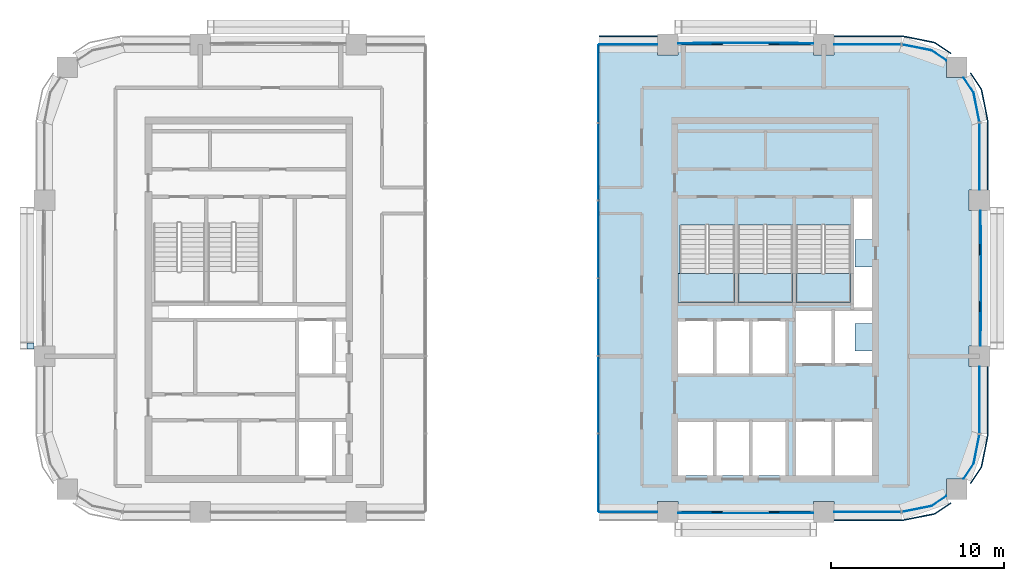
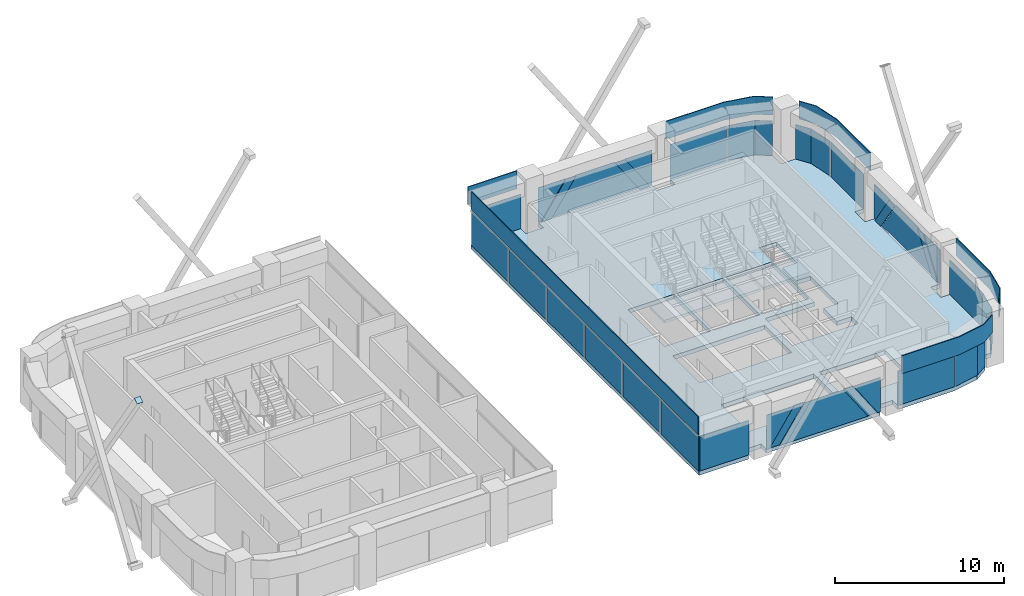
# One storey, part 6 of 14: 38 plates, 4 slabs, 13 elements without a shape of their own.
"""IFC4 building model written with IfcOpenShell, lengths in metres."""

from ifc_helpers import new_model, si_unit, direction, frame, origin, origin_2d, place, context, subcontext, project, spatial, polyline, rectangle, outline, extrude, material, layer, layer_set, type_object, element, aggregate, save


model = new_model("IFC4")

# Units and contexts
model_context = context("Model", 3, precision=1e-05, world=origin(), true_north=direction((0.0, 1.0)))
body_context = subcontext(model_context, "Body", "Model", "MODEL_VIEW")
ifc_project = project(units=[si_unit("LENGTHUNIT", "METRE"), si_unit("AREAUNIT", "SQUARE_METRE"), si_unit("VOLUMEUNIT", "CUBIC_METRE"), si_unit("PLANEANGLEUNIT", "RADIAN"), si_unit("MASSUNIT", "GRAM", prefix="KILO")], contexts=[model_context])

# Site, building, storey
site_placement = place(None, origin())
site = spatial("IfcSite", under=ifc_project, at=site_placement, CompositionType="ELEMENT")
building_placement = place(site_placement, origin())
building = spatial("IfcBuilding", under=site, at=building_placement, Name="Tessera Arch", CompositionType="ELEMENT")
storey_placement = place(building_placement, frame((0.0, 0.0, 215.0)))
storey = spatial("IfcBuildingStorey", under=building, at=storey_placement, Name="L51", CompositionType="ELEMENT", Elevation=215.0)

# Curtain wall, plate
ifc_material_1 = material(Name="CW1 curtain wall")
curtain_wall_type_1 = type_object("IfcCurtainWallType", Name="CW1 curtain wall", PredefinedType="NOTDEFINED", material=ifc_material_1)
curtain_wall_1_placement = place(storey_placement, origin())
curtain_wall_1 = element("IfcCurtainWall", 1, at=curtain_wall_1_placement, inside=storey, type_object=curtain_wall_type_1, Name="CW1 curtain wall S27.32/0 L51", PredefinedType="NOTDEFINED")
ifc_material_2 = material(Name="Clear low-e glass", Category="glass")
ifc_material_3 = material(Name="Clear low-e glass", Category="glass")
ifc_layer_1 = layer(ifc_material_3, 0.028076171875)
ifc_layer_set_1 = layer_set([ifc_layer_1], Name="CW1 glass panel")
plate_type_1 = type_object("IfcPlateType", Name="CW1 glass panel", PredefinedType="CURTAIN_PANEL", material=ifc_layer_set_1)
plate_1_placement = place(storey_placement, frame((33.72509765625, 27.0, 0.0), z_axis=(0.0, 0.0, 1.0), x_axis=(1.0, 0.0, 0.0)))
plate_1 = element("IfcPlate", 2, at=plate_1_placement, type_object=plate_type_1, material=ifc_material_2, Name="CW1 glass panel S27.32/0 1.1.1", PredefinedType="CURTAIN_PANEL", context=body_context, shape_type="SweptSolid", body=[
    extrude(rectangle(XDim=3.35009765625, YDim=0.028076171875, at=origin_2d()), origin(), (0.0, 0.0, 1.0), 2.5),
])
aggregate(curtain_wall_1, [plate_1])

# Curtain wall, plates
curtain_wall_2_placement = place(storey_placement, origin())
curtain_wall_2 = element("IfcCurtainWall", 3, at=curtain_wall_2_placement, inside=storey, type_object=curtain_wall_type_1, Name="CW1 curtain wall N54.32/2 L51", PredefinedType="NOTDEFINED")
plate_2_placement = place(storey_placement, frame((33.72509765625, 54.0, 0.0), z_axis=(0.0, 0.0, 1.0), x_axis=(-1.0, 0.0, 0.0)))
plate_2 = element("IfcPlate", 4, at=plate_2_placement, type_object=plate_type_1, material=ifc_material_2, Name="CW1 glass panel N54.32/2 1.1.1", PredefinedType="CURTAIN_PANEL", context=body_context, shape_type="SweptSolid", body=[
    extrude(rectangle(XDim=3.35009765625, YDim=0.028076171875, at=origin_2d()), origin(), (0.0, 0.0, 1.0), 2.5),
])
ifc_material_4 = material(Name="Pale anodised aluminium panel", Category="aluminium")
ifc_layer_2 = layer(ifc_material_4, 0.06005859375)
ifc_layer_set_2 = layer_set([ifc_layer_2], Name="CW1 spandrel panel")
plate_type_2 = type_object("IfcPlateType", Name="CW1 spandrel panel", PredefinedType="CURTAIN_PANEL", material=ifc_layer_set_2)
plate_3_placement = place(storey_placement, frame((33.72509765625, 54.47998046875, 2.60009765625), z_axis=(0.0, 0.0, 1.0), x_axis=(-1.0, 0.0, 0.0)))
plate_3 = element("IfcPlate", 5, at=plate_3_placement, type_object=plate_type_2, Name="CW1 spandrel panel N54.32/2", PredefinedType="CURTAIN_PANEL", context=body_context, shape_type="SweptSolid", body=[
    extrude(rectangle(XDim=3.35009765625, YDim=0.06005859375, at=origin_2d()), origin(), (0.0, 0.0, 1.0), 1.300048828125),
])
aggregate(curtain_wall_2, [plate_2, plate_3])

ifc_material_5 = material(Name="CW2 curtain wall")
curtain_wall_type_2 = type_object("IfcCurtainWallType", Name="CW2 curtain wall", PredefinedType="NOTDEFINED", material=ifc_material_5)
curtain_wall_3_placement = place(storey_placement, origin())
curtain_wall_3 = element("IfcCurtainWall", 6, at=curtain_wall_3_placement, inside=storey, type_object=curtain_wall_type_2, Name="CW2 curtain wall S27.32/2 L51", PredefinedType="NOTDEFINED")
ifc_material_6 = material(Name="Clear low-e glass", Category="glass")
ifc_layer_3 = layer(ifc_material_6, 0.028076171875)
ifc_layer_set_3 = layer_set([ifc_layer_3], Name="CW2 glass panel")
plate_type_3 = type_object("IfcPlateType", Name="CW2 glass panel", PredefinedType="CURTAIN_PANEL", material=ifc_layer_set_3)
plate_4_placement = place(storey_placement, frame((47.530029296875, 27.0, 0.0), z_axis=(0.0, 0.0, 1.0), x_axis=(1.0, 0.0, 0.0)))
plate_4 = element("IfcPlate", 7, at=plate_4_placement, type_object=plate_type_3, material=ifc_material_2, Name="CW2 glass panel S27.32/2 1.1", PredefinedType="CURTAIN_PANEL", context=body_context, shape_type="SweptSolid", body=[
    extrude(rectangle(XDim=3.860107421875, YDim=0.028076171875, at=origin_2d()), origin(), (0.0, 0.0, 1.0), 2.5),
])
plate_5_placement = place(storey_placement, origin())
plate_5 = element("IfcPlate", 8, at=plate_5_placement, type_object=plate_type_3, material=ifc_material_2, Name="CW2 curved glass panel S27.32/2 2.1", PredefinedType="CURTAIN_PANEL", context=body_context, shape_type="SweptSolid", body=[
    extrude(outline(polyline([(51.216552734375, 27.355712890625), (49.53662109375, 27.021484375), (49.5419921875, 26.994140625), (51.2275390625, 27.329345703125), (52.08984375, 27.905517578125), (52.07421875, 27.9287109375), (51.216552734375, 27.355712890625)])), origin(), (0.0, 0.0, 1.0), 2.5),
])

curtain_wall_4_placement = place(storey_placement, origin())
curtain_wall_4 = element("IfcCurtainWall", 9, at=curtain_wall_4_placement, inside=storey, type_object=curtain_wall_type_2, Name="CW2 curtain wall E54.27/0 L51", PredefinedType="NOTDEFINED")
plate_6_placement = place(storey_placement, frame((54.0, 33.469970703125, 0.0), z_axis=(0.0, 0.0, 1.0), x_axis=(0.0, 1.0, 0.0)))
plate_6 = element("IfcPlate", 10, at=plate_6_placement, type_object=plate_type_3, material=ifc_material_2, Name="CW2 glass panel E54.27/0 1.1", PredefinedType="CURTAIN_PANEL", context=body_context, shape_type="SweptSolid", body=[
    extrude(rectangle(XDim=3.860107421875, YDim=0.028076171875, at=origin_2d()), origin(), (0.0, 0.0, 1.0), 2.5),
])
plate_7_placement = place(storey_placement, origin())
plate_7 = element("IfcPlate", 11, at=plate_7_placement, type_object=plate_type_3, material=ifc_material_2, Name="CW2 curved glass panel E54.27/0 2.1", PredefinedType="CURTAIN_PANEL", context=body_context, shape_type="SweptSolid", body=[
    extrude(outline(polyline([(53.644287109375, 29.783447265625), (53.0712890625, 28.92578125), (53.094482421875, 28.91015625), (53.670654296875, 29.7724609375), (54.005859375, 31.4580078125), (53.978515625, 31.46337890625), (53.644287109375, 29.783447265625)])), origin(), (0.0, 0.0, 1.0), 2.5),
])

curtain_wall_5_placement = place(storey_placement, origin())
curtain_wall_5 = element("IfcCurtainWall", 12, at=curtain_wall_5_placement, inside=storey, type_object=curtain_wall_type_2, Name="CW2 curtain wall E54.27/2 L51", PredefinedType="NOTDEFINED")
plate_8_placement = place(storey_placement, frame((54.0, 47.530029296875, 0.0), z_axis=(0.0, 0.0, 1.0), x_axis=(0.0, 1.0, 0.0)))
plate_8 = element("IfcPlate", 13, at=plate_8_placement, type_object=plate_type_3, material=ifc_material_2, Name="CW2 glass panel E54.27/2 1.1", PredefinedType="CURTAIN_PANEL", context=body_context, shape_type="SweptSolid", body=[
    extrude(rectangle(XDim=3.860107421875, YDim=0.028076171875, at=origin_2d()), origin(), (0.0, 0.0, 1.0), 2.5),
])
plate_9_placement = place(storey_placement, origin())
plate_9 = element("IfcPlate", 14, at=plate_9_placement, type_object=plate_type_3, material=ifc_material_2, Name="CW2 curved glass panel E54.27/2 2.1", PredefinedType="CURTAIN_PANEL", context=body_context, shape_type="SweptSolid", body=[
    extrude(outline(polyline([(53.644287109375, 51.216552734375), (53.978515625, 49.53662109375), (54.005859375, 49.5419921875), (53.670654296875, 51.2275390625), (53.094482421875, 52.08984375), (53.0712890625, 52.07421875), (53.644287109375, 51.216552734375)])), origin(), (0.0, 0.0, 1.0), 2.5),
])

curtain_wall_6_placement = place(storey_placement, origin())
curtain_wall_6 = element("IfcCurtainWall", 15, at=curtain_wall_6_placement, inside=storey, type_object=curtain_wall_type_2, Name="CW2 curtain wall N54.32/0 L51", PredefinedType="NOTDEFINED")
plate_10_placement = place(storey_placement, frame((47.530029296875, 54.0, 0.0), z_axis=(0.0, 0.0, 1.0), x_axis=(-1.0, 0.0, 0.0)))
plate_10 = element("IfcPlate", 16, at=plate_10_placement, type_object=plate_type_3, material=ifc_material_2, Name="CW2 glass panel N54.32/0 1.1", PredefinedType="CURTAIN_PANEL", context=body_context, shape_type="SweptSolid", body=[
    extrude(rectangle(XDim=3.860107421875, YDim=0.028076171875, at=origin_2d()), origin(), (0.0, 0.0, 1.0), 2.5),
])
plate_11_placement = place(storey_placement, origin())
plate_11 = element("IfcPlate", 17, at=plate_11_placement, type_object=plate_type_3, material=ifc_material_2, Name="CW2 curved glass panel N54.32/0 2.1", PredefinedType="CURTAIN_PANEL", context=body_context, shape_type="SweptSolid", body=[
    extrude(outline(polyline([(51.216552734375, 53.644287109375), (52.07421875, 53.0712890625), (52.08984375, 53.094482421875), (51.2275390625, 53.670654296875), (49.5419921875, 54.005859375), (49.53662109375, 53.978515625), (51.216552734375, 53.644287109375)])), origin(), (0.0, 0.0, 1.0), 2.5),
])

# Plate
ifc_material_7 = material(Name="Pale anodised aluminium panel", Category="aluminium")
ifc_layer_4 = layer(ifc_material_7, 0.06005859375)
ifc_layer_set_4 = layer_set([ifc_layer_4], Name="CW2 spandrel panel")
plate_type_4 = type_object("IfcPlateType", Name="CW2 spandrel panel", PredefinedType="CURTAIN_PANEL", material=ifc_layer_set_4)
plate_12_placement = place(storey_placement, frame((0.0, 0.0, 2.60009765625)))
plate_12 = element("IfcPlate", 18, at=plate_12_placement, type_object=plate_type_4, Name="CW2 spandrel panel S27.32/2", PredefinedType="CURTAIN_PANEL", context=body_context, shape_type="SweptSolid", body=[
    extrude(outline(polyline([(49.499267578125, 26.550048828125), (45.60009765625, 26.550048828125), (45.60009765625, 26.489990234375), (49.500732421875, 26.489990234375), (49.550048828125, 26.492431640625), (49.598876953125, 26.499755859375), (51.322265625, 26.842529296875), (51.3701171875, 26.8544921875), (51.417236328125, 26.871337890625), (51.462646484375, 26.892578125), (51.5048828125, 26.91796875), (52.365234375, 27.4931640625), (52.33203125, 27.54296875), (51.47265625, 26.96875), (51.434326171875, 26.945556640625), (51.394287109375, 26.9267578125), (51.352783203125, 26.911865234375), (51.30908203125, 26.90087890625), (49.588623046875, 26.558837890625), (49.544189453125, 26.55224609375), (49.499267578125, 26.550048828125)])), origin(), (0.0, 0.0, 1.0), 1.2998046875),
])

aggregate(curtain_wall_3, [plate_4, plate_5, plate_12])

plate_13_placement = place(storey_placement, frame((0.0, 0.0, 2.60009765625)))
plate_13 = element("IfcPlate", 19, at=plate_13_placement, type_object=plate_type_4, Name="CW2 spandrel panel E54.27/0", PredefinedType="CURTAIN_PANEL", context=body_context, shape_type="SweptSolid", body=[
    extrude(outline(polyline([(54.03125, 29.52734375), (53.45703125, 28.66796875), (53.5068359375, 28.634765625), (54.08203125, 29.4951171875), (54.107421875, 29.537353515625), (54.128662109375, 29.582763671875), (54.1455078125, 29.6298828125), (54.157470703125, 29.677734375), (54.500244140625, 31.401123046875), (54.507568359375, 31.449951171875), (54.510009765625, 31.499267578125), (54.510009765625, 35.39990234375), (54.449951171875, 35.39990234375), (54.449951171875, 31.500732421875), (54.44775390625, 31.455810546875), (54.441162109375, 31.411376953125), (54.09912109375, 29.69091796875), (54.088134765625, 29.647216796875), (54.0732421875, 29.605712890625), (54.054443359375, 29.565673828125), (54.03125, 29.52734375)])), origin(), (0.0, 0.0, 1.0), 1.2998046875),
])

aggregate(curtain_wall_4, [plate_6, plate_7, plate_13])

plate_14_placement = place(storey_placement, frame((0.0, 0.0, 2.60009765625)))
plate_14 = element("IfcPlate", 20, at=plate_14_placement, type_object=plate_type_4, Name="CW2 spandrel panel E54.27/2", PredefinedType="CURTAIN_PANEL", context=body_context, shape_type="SweptSolid", body=[
    extrude(outline(polyline([(54.449951171875, 49.499267578125), (54.449951171875, 45.60009765625), (54.510009765625, 45.60009765625), (54.510009765625, 49.500732421875), (54.507568359375, 49.550048828125), (54.500244140625, 49.598876953125), (54.157470703125, 51.322265625), (54.1455078125, 51.3701171875), (54.128662109375, 51.417236328125), (54.107421875, 51.462646484375), (54.08203125, 51.5048828125), (53.5068359375, 52.365234375), (53.45703125, 52.33203125), (54.03125, 51.47265625), (54.054443359375, 51.434326171875), (54.0732421875, 51.394287109375), (54.088134765625, 51.352783203125), (54.09912109375, 51.30908203125), (54.441162109375, 49.588623046875), (54.44775390625, 49.544189453125), (54.449951171875, 49.499267578125)])), origin(), (0.0, 0.0, 1.0), 1.2998046875),
])

aggregate(curtain_wall_5, [plate_8, plate_9, plate_14])

plate_15_placement = place(storey_placement, frame((0.0, 0.0, 2.60009765625)))
plate_15 = element("IfcPlate", 21, at=plate_15_placement, type_object=plate_type_4, Name="CW2 spandrel panel N54.32/0", PredefinedType="CURTAIN_PANEL", context=body_context, shape_type="SweptSolid", body=[
    extrude(outline(polyline([(51.47265625, 54.03125), (52.33203125, 53.45703125), (52.365234375, 53.5068359375), (51.5048828125, 54.08203125), (51.462646484375, 54.107421875), (51.417236328125, 54.128662109375), (51.3701171875, 54.1455078125), (51.322265625, 54.157470703125), (49.598876953125, 54.500244140625), (49.550048828125, 54.507568359375), (49.500732421875, 54.510009765625), (45.60009765625, 54.510009765625), (45.60009765625, 54.449951171875), (49.499267578125, 54.449951171875), (49.544189453125, 54.44775390625), (49.588623046875, 54.441162109375), (51.30908203125, 54.09912109375), (51.352783203125, 54.088134765625), (51.394287109375, 54.0732421875), (51.434326171875, 54.054443359375), (51.47265625, 54.03125)])), origin(), (0.0, 0.0, 1.0), 1.2998046875),
])

aggregate(curtain_wall_6, [plate_10, plate_11, plate_15])

# Curtain wall, plates
ifc_material_8 = material(Name="CW3 curtain wall")
curtain_wall_type_3 = type_object("IfcCurtainWallType", Name="CW3 curtain wall", PredefinedType="NOTDEFINED", material=ifc_material_8)
curtain_wall_7_placement = place(storey_placement, origin())
curtain_wall_7 = element("IfcCurtainWall", 22, at=curtain_wall_7_placement, inside=storey, type_object=curtain_wall_type_3, Name="CW3 curtain wall S27.32/1 L51", PredefinedType="NOTDEFINED")
ifc_material_9 = material(Name="Pale anodised aluminium panel", Category="aluminium")
ifc_layer_5 = layer(ifc_material_9, 0.06005859375)
ifc_layer_set_5 = layer_set([ifc_layer_5], Name="CW3 diagonal panel")
plate_type_5 = type_object("IfcPlateType", Name="CW3 diagonal panel", PredefinedType="CURTAIN_PANEL", material=ifc_layer_set_5)
plate_16_placement = place(storey_placement, frame((42.52880859375, 26.969970703125, 2.5), z_axis=(0.0, -1.0, 0.0), x_axis=(-1.0, 0.0, 0.0)))
plate_16 = element("IfcPlate", 23, at=plate_16_placement, type_object=plate_type_5, Name="CW3 diagonal panel S27.32/1 1", PredefinedType="CURTAIN_PANEL", context=body_context, shape_type="SweptSolid", body=[
    extrude(outline(polyline([(0.0, 0.0), (0.695556640625, 0.0), (-0.985595703125, 2.5), (-1.680908203125, 2.5), (0.0, 0.0)])), origin(), (0.0, 0.0, -1.0), 0.06005859375),
])
plate_17_placement = place(storey_placement, frame((39.166748046875, 26.969970703125, 2.5), z_axis=(0.0, -1.0, 0.0), x_axis=(-1.0, 0.0, 0.0)))
plate_17 = element("IfcPlate", 24, at=plate_17_placement, type_object=plate_type_5, Name="CW3 diagonal panel S27.32/1 2", PredefinedType="CURTAIN_PANEL", context=body_context, shape_type="SweptSolid", body=[
    extrude(outline(polyline([(0.0, 0.0), (0.695556640625, 0.0), (2.37646484375, 2.5), (1.68115234375, 2.5), (0.0, 0.0)])), origin(), (0.0, 0.0, -1.0), 0.06005859375),
])

curtain_wall_8_placement = place(storey_placement, origin())
curtain_wall_8 = element("IfcCurtainWall", 25, at=curtain_wall_8_placement, inside=storey, type_object=curtain_wall_type_3, Name="CW3 curtain wall E54.27/1 L51", PredefinedType="NOTDEFINED")
plate_18_placement = place(storey_placement, frame((54.030029296875, 42.52880859375, 2.5), z_axis=(1.0, 0.0, 0.0), x_axis=(0.0, -1.0, 0.0)))
plate_18 = element("IfcPlate", 26, at=plate_18_placement, type_object=plate_type_5, Name="CW3 diagonal panel E54.27/1 1", PredefinedType="CURTAIN_PANEL", context=body_context, shape_type="SweptSolid", body=[
    extrude(outline(polyline([(0.0, 0.0), (0.695556640625, 0.0), (-0.985595703125, 2.5), (-1.680908203125, 2.5), (0.0, 0.0)])), origin(), (0.0, 0.0, -1.0), 0.06005859375),
])
plate_19_placement = place(storey_placement, frame((54.030029296875, 39.166748046875, 2.5), z_axis=(1.0, 0.0, 0.0), x_axis=(0.0, -1.0, 0.0)))
plate_19 = element("IfcPlate", 27, at=plate_19_placement, type_object=plate_type_5, Name="CW3 diagonal panel E54.27/1 2", PredefinedType="CURTAIN_PANEL", context=body_context, shape_type="SweptSolid", body=[
    extrude(outline(polyline([(0.0, 0.0), (0.695556640625, 0.0), (2.37646484375, 2.5), (1.68115234375, 2.5), (0.0, 0.0)])), origin(), (0.0, 0.0, -1.0), 0.06005859375),
])

curtain_wall_9_placement = place(storey_placement, origin())
curtain_wall_9 = element("IfcCurtainWall", 28, at=curtain_wall_9_placement, inside=storey, type_object=curtain_wall_type_3, Name="CW3 curtain wall N54.32/1 L51", PredefinedType="NOTDEFINED")
plate_20_placement = place(storey_placement, frame((38.47119140625, 54.030029296875, 2.5), z_axis=(0.0, 1.0, 0.0), x_axis=(1.0, 0.0, 0.0)))
plate_20 = element("IfcPlate", 29, at=plate_20_placement, type_object=plate_type_5, Name="CW3 diagonal panel N54.32/1 1", PredefinedType="CURTAIN_PANEL", context=body_context, shape_type="SweptSolid", body=[
    extrude(outline(polyline([(0.0, 0.0), (0.695556640625, 0.0), (-0.985595703125, 2.5), (-1.680908203125, 2.5), (0.0, 0.0)])), origin(), (0.0, 0.0, -1.0), 0.06005859375),
])
plate_21_placement = place(storey_placement, frame((41.833251953125, 54.030029296875, 2.5), z_axis=(0.0, 1.0, 0.0), x_axis=(1.0, 0.0, 0.0)))
plate_21 = element("IfcPlate", 30, at=plate_21_placement, type_object=plate_type_5, Name="CW3 diagonal panel N54.32/1 2", PredefinedType="CURTAIN_PANEL", context=body_context, shape_type="SweptSolid", body=[
    extrude(outline(polyline([(0.0, 0.0), (0.695556640625, 0.0), (2.37646484375, 2.5), (1.68115234375, 2.5), (0.0, 0.0)])), origin(), (0.0, 0.0, -1.0), 0.06005859375),
])

# Plate
ifc_material_10 = material(Name="Clear low-e glass", Category="glass")
ifc_layer_6 = layer(ifc_material_10, 0.028076171875)
ifc_layer_set_6 = layer_set([ifc_layer_6], Name="CW3 glass panel")
plate_type_6 = type_object("IfcPlateType", Name="CW3 glass panel", PredefinedType="CURTAIN_PANEL", material=ifc_layer_set_6)
plate_22_placement = place(storey_placement, frame((36.60009765625, 26.94189453125, 0.0), z_axis=(0.0, -1.0, 0.0), x_axis=(1.0, 0.0, 0.0)))
plate_22 = element("IfcPlate", 31, at=plate_22_placement, type_object=plate_type_6, material=ifc_material_2, Name="CW3 triangulated glass panel S27.32/1 1", PredefinedType="CURTAIN_PANEL", context=body_context, shape_type="SweptSolid", body=[
    extrude(outline(polyline([(0.0, 0.0), (0.190185546875, 0.0), (1.87109375, 2.5), (0.0, 2.5), (0.0, 0.0)])), origin(), (0.0, 0.0, -1.0), 0.028076171875),
])

plate_23_placement = place(storey_placement, frame((41.833251953125, 26.9140625, 2.5), z_axis=(0.0, -1.0, 0.0), x_axis=(-1.0, 0.0, 0.0)))
plate_23 = element("IfcPlate", 32, at=plate_23_placement, type_object=plate_type_6, material=ifc_material_2, Name="CW3 triangulated glass panel S27.32/1 2", PredefinedType="CURTAIN_PANEL", context=body_context, shape_type="SweptSolid", body=[
    extrude(outline(polyline([(0.0, 0.0), (2.66650390625, 0.0), (4.34765625, 2.5), (-1.68115234375, 2.5), (0.0, 0.0)])), origin(), (0.0, 0.0, -1.0), 0.028076171875),
])

plate_24_placement = place(storey_placement, frame((44.39990234375, 26.94189453125, 2.5), z_axis=(0.0, -1.0, 0.0), x_axis=(-1.0, 0.0, 0.0)))
plate_24 = element("IfcPlate", 33, at=plate_24_placement, type_object=plate_type_6, material=ifc_material_2, Name="CW3 triangulated glass panel S27.32/1 3", PredefinedType="CURTAIN_PANEL", context=body_context, shape_type="SweptSolid", body=[
    extrude(outline(polyline([(0.0, 0.0), (1.87109375, 0.0), (0.190185546875, 2.5), (0.0, 2.5), (0.0, 0.0)])), origin(), (0.0, 0.0, -1.0), 0.028076171875),
])

aggregate(curtain_wall_7, [plate_22, plate_23, plate_24, plate_16, plate_17])

plate_25_placement = place(storey_placement, frame((54.05810546875, 36.60009765625, 0.0), z_axis=(1.0, 0.0, 0.0), x_axis=(0.0, 1.0, 0.0)))
plate_25 = element("IfcPlate", 34, at=plate_25_placement, type_object=plate_type_6, material=ifc_material_2, Name="CW3 triangulated glass panel E54.27/1 1", PredefinedType="CURTAIN_PANEL", context=body_context, shape_type="SweptSolid", body=[
    extrude(outline(polyline([(0.0, 0.0), (0.190185546875, 0.0), (1.87109375, 2.5), (0.0, 2.5), (0.0, 0.0)])), origin(), (0.0, 0.0, -1.0), 0.028076171875),
])

plate_26_placement = place(storey_placement, frame((54.0859375, 41.833251953125, 2.5), z_axis=(1.0, 0.0, 0.0), x_axis=(0.0, -1.0, 0.0)))
plate_26 = element("IfcPlate", 35, at=plate_26_placement, type_object=plate_type_6, material=ifc_material_2, Name="CW3 triangulated glass panel E54.27/1 2", PredefinedType="CURTAIN_PANEL", context=body_context, shape_type="SweptSolid", body=[
    extrude(outline(polyline([(0.0, 0.0), (2.66650390625, 0.0), (4.34765625, 2.5), (-1.68115234375, 2.5), (0.0, 0.0)])), origin(), (0.0, 0.0, -1.0), 0.028076171875),
])

plate_27_placement = place(storey_placement, frame((54.05810546875, 44.39990234375, 2.5), z_axis=(1.0, 0.0, 0.0), x_axis=(0.0, -1.0, 0.0)))
plate_27 = element("IfcPlate", 36, at=plate_27_placement, type_object=plate_type_6, material=ifc_material_2, Name="CW3 triangulated glass panel E54.27/1 3", PredefinedType="CURTAIN_PANEL", context=body_context, shape_type="SweptSolid", body=[
    extrude(outline(polyline([(0.0, 0.0), (1.87109375, 0.0), (0.190185546875, 2.5), (0.0, 2.5), (0.0, 0.0)])), origin(), (0.0, 0.0, -1.0), 0.028076171875),
])

aggregate(curtain_wall_8, [plate_25, plate_26, plate_27, plate_18, plate_19])

plate_28_placement = place(storey_placement, frame((44.39990234375, 54.05810546875, 0.0), z_axis=(0.0, 1.0, 0.0), x_axis=(-1.0, 0.0, 0.0)))
plate_28 = element("IfcPlate", 37, at=plate_28_placement, type_object=plate_type_6, material=ifc_material_2, Name="CW3 triangulated glass panel N54.32/1 1", PredefinedType="CURTAIN_PANEL", context=body_context, shape_type="SweptSolid", body=[
    extrude(outline(polyline([(0.0, 0.0), (0.190185546875, 0.0), (1.87109375, 2.5), (0.0, 2.5), (0.0, 0.0)])), origin(), (0.0, 0.0, -1.0), 0.028076171875),
])

plate_29_placement = place(storey_placement, frame((39.166748046875, 54.0859375, 2.5), z_axis=(0.0, 1.0, 0.0), x_axis=(1.0, 0.0, 0.0)))
plate_29 = element("IfcPlate", 38, at=plate_29_placement, type_object=plate_type_6, material=ifc_material_2, Name="CW3 triangulated glass panel N54.32/1 2", PredefinedType="CURTAIN_PANEL", context=body_context, shape_type="SweptSolid", body=[
    extrude(outline(polyline([(0.0, 0.0), (2.66650390625, 0.0), (4.34765625, 2.5), (-1.68115234375, 2.5), (0.0, 0.0)])), origin(), (0.0, 0.0, -1.0), 0.028076171875),
])

plate_30_placement = place(storey_placement, frame((36.60009765625, 54.05810546875, 2.5), z_axis=(0.0, 1.0, 0.0), x_axis=(1.0, 0.0, 0.0)))
plate_30 = element("IfcPlate", 39, at=plate_30_placement, type_object=plate_type_6, material=ifc_material_2, Name="CW3 triangulated glass panel N54.32/1 3", PredefinedType="CURTAIN_PANEL", context=body_context, shape_type="SweptSolid", body=[
    extrude(outline(polyline([(0.0, 0.0), (1.87109375, 0.0), (0.190185546875, 2.5), (0.0, 2.5), (0.0, 0.0)])), origin(), (0.0, 0.0, -1.0), 0.028076171875),
])

aggregate(curtain_wall_9, [plate_28, plate_29, plate_30, plate_20, plate_21])

# Curtain wall, plates
ifc_material_11 = material(Name="CW5 curtain wall")
curtain_wall_type_4 = type_object("IfcCurtainWallType", Name="CW5 curtain wall", PredefinedType="NOTDEFINED", material=ifc_material_11)
curtain_wall_10_placement = place(storey_placement, origin())
curtain_wall_10 = element("IfcCurtainWall", 40, at=curtain_wall_10_placement, inside=storey, type_object=curtain_wall_type_4, Name="CW5 curtain wall W32.27/0 L51", PredefinedType="NOTDEFINED")
ifc_material_12 = material(Name="Clear low-e glass", Category="glass")
ifc_layer_7 = layer(ifc_material_12, 0.028076171875)
ifc_layer_set_7 = layer_set([ifc_layer_7], Name="CW5 glass panel")
plate_type_7 = type_object("IfcPlateType", Name="CW5 glass panel", PredefinedType="CURTAIN_PANEL", material=ifc_layer_set_7)
plate_31_placement = place(storey_placement, frame((32.0, 51.728271484375, 0.0), z_axis=(0.0, 0.0, 1.0), x_axis=(0.0, -1.0, 0.0)))
plate_31 = element("IfcPlate", 41, at=plate_31_placement, type_object=plate_type_7, material=ifc_material_2, Name="CW5 glass panel W32.27/0 1.1.1", PredefinedType="CURTAIN_PANEL", context=body_context, shape_type="SweptSolid", body=[
    extrude(rectangle(XDim=4.443359375, YDim=0.028076171875, at=origin_2d()), origin(), (0.0, 0.0, 1.0), 2.5),
])
plate_32_placement = place(storey_placement, frame((32.0, 47.22509765625, 0.0), z_axis=(0.0, 0.0, 1.0), x_axis=(0.0, -1.0, 0.0)))
plate_32 = element("IfcPlate", 42, at=plate_32_placement, type_object=plate_type_7, material=ifc_material_2, Name="CW5 glass panel W32.27/0 1.2.1", PredefinedType="CURTAIN_PANEL", context=body_context, shape_type="SweptSolid", body=[
    extrude(rectangle(XDim=4.4033203125, YDim=0.028076171875, at=origin_2d()), origin(), (0.0, 0.0, 1.0), 2.5),
])
plate_33_placement = place(storey_placement, frame((32.0, 42.74169921875, 0.0), z_axis=(0.0, 0.0, 1.0), x_axis=(0.0, -1.0, 0.0)))
plate_33 = element("IfcPlate", 43, at=plate_33_placement, type_object=plate_type_7, material=ifc_material_2, Name="CW5 glass panel W32.27/0 1.3.1", PredefinedType="CURTAIN_PANEL", context=body_context, shape_type="SweptSolid", body=[
    extrude(rectangle(XDim=4.4033203125, YDim=0.028076171875, at=origin_2d()), origin(), (0.0, 0.0, 1.0), 2.5),
])
plate_34_placement = place(storey_placement, frame((32.0, 38.25830078125, 0.0), z_axis=(0.0, 0.0, 1.0), x_axis=(0.0, -1.0, 0.0)))
plate_34 = element("IfcPlate", 44, at=plate_34_placement, type_object=plate_type_7, material=ifc_material_2, Name="CW5 glass panel W32.27/0 1.4.1", PredefinedType="CURTAIN_PANEL", context=body_context, shape_type="SweptSolid", body=[
    extrude(rectangle(XDim=4.4033203125, YDim=0.028076171875, at=origin_2d()), origin(), (0.0, 0.0, 1.0), 2.5),
])
plate_35_placement = place(storey_placement, frame((32.0, 33.77490234375, 0.0), z_axis=(0.0, 0.0, 1.0), x_axis=(0.0, -1.0, 0.0)))
plate_35 = element("IfcPlate", 45, at=plate_35_placement, type_object=plate_type_7, material=ifc_material_2, Name="CW5 glass panel W32.27/0 1.5.1", PredefinedType="CURTAIN_PANEL", context=body_context, shape_type="SweptSolid", body=[
    extrude(rectangle(XDim=4.4033203125, YDim=0.028076171875, at=origin_2d()), origin(), (0.0, 0.0, 1.0), 2.5),
])
plate_36_placement = place(storey_placement, frame((32.0, 29.271728515625, 0.0), z_axis=(0.0, 0.0, 1.0), x_axis=(0.0, -1.0, 0.0)))
plate_36 = element("IfcPlate", 46, at=plate_36_placement, type_object=plate_type_7, material=ifc_material_2, Name="CW5 glass panel W32.27/0 1.6.1", PredefinedType="CURTAIN_PANEL", context=body_context, shape_type="SweptSolid", body=[
    extrude(rectangle(XDim=4.443359375, YDim=0.028076171875, at=origin_2d()), origin(), (0.0, 0.0, 1.0), 2.5),
])
ifc_material_13 = material(Name="Pale anodised aluminium panel", Category="aluminium")
ifc_layer_8 = layer(ifc_material_13, 0.06005859375)
ifc_layer_set_8 = layer_set([ifc_layer_8], Name="CW5 spandrel panel")
plate_type_8 = type_object("IfcPlateType", Name="CW5 spandrel panel", PredefinedType="CURTAIN_PANEL", material=ifc_layer_set_8)
plate_37_placement = place(storey_placement, frame((32.0, 40.5, 2.60009765625), z_axis=(0.0, 0.0, 1.0), x_axis=(0.0, -1.0, 0.0)))
plate_37 = element("IfcPlate", 47, at=plate_37_placement, type_object=plate_type_8, Name="CW5 spandrel panel W32.27/0", PredefinedType="CURTAIN_PANEL", context=body_context, shape_type="SweptSolid", body=[
    extrude(rectangle(XDim=26.89990234375, YDim=0.06005859375, at=origin_2d()), origin(), (0.0, 0.0, 1.0), 1.300048828125),
])
aggregate(curtain_wall_10, [plate_31, plate_32, plate_33, plate_34, plate_35, plate_36, plate_37])

# Plate
ifc_material_14 = material(Name="Steel A572 Gr50", Category="steel")
ifc_layer_9 = layer(ifc_material_14, 0.02490234375)
ifc_layer_set_9 = layer_set([ifc_layer_9], Name="End plate HSS16x16x5/8")
plate_type_9 = type_object("IfcPlateType", Name="End plate HSS16x16x5/8", PredefinedType="SHEET", material=ifc_layer_set_9)
plate_38_placement = place(storey_placement, frame((-0.80322265625, 36.60009765625, 10.800048828125), z_axis=(0.0, -0.56363832993, 0.826021690414), x_axis=(1.0, 0.0, 0.0)))
element("IfcPlate", 48, at=plate_38_placement, inside=storey, type_object=plate_type_9, Name="End plate HSS16x16x5/8 W0.27-1 A2 L51", PredefinedType="SHEET", context=body_context, shape_type="SweptSolid", body=[
    extrude(rectangle(XDim=0.406494140625, YDim=0.406494140625, at=origin_2d()), origin(), (0.0, 0.0, 1.0), 0.025146484375),
])

# Slab
ifc_material_15 = material(Name="Concrete C40/50", Category="concrete")
ifc_layer_10 = layer(ifc_material_15, 0.300048828125)
ifc_layer_set_10 = layer_set([ifc_layer_10], Name="Floor slab 300 Concrete C40/50")
slab_type_1 = type_object("IfcSlabType", Name="Floor slab 300 Concrete C40/50", PredefinedType="FLOOR", material=ifc_layer_set_10)
slab_1_placement = place(storey_placement, frame((0.0, 0.0, -0.300048828125)))
element("IfcSlab", 49, at=slab_1_placement, inside=storey, type_object=slab_type_1, Name="Floor slab L51 2", PredefinedType="FLOOR", context=body_context, shape_type="SweptSolid", body=[
    extrude(outline(polyline([(51.22216796875, 53.657470703125), (52.08203125, 53.0830078125), (52.08203125, 52.08203125), (53.0830078125, 52.08203125), (53.657470703125, 51.22216796875), (54.0, 49.5), (54.0, 45.60009765625), (53.39990234375, 45.60009765625), (53.39990234375, 44.39990234375), (54.0, 44.39990234375), (54.0, 36.60009765625), (53.39990234375, 36.60009765625), (53.39990234375, 35.39990234375), (54.0, 35.39990234375), (54.0, 31.5), (53.657470703125, 29.77783203125), (53.0830078125, 28.91796875), (52.08203125, 28.91796875), (52.08203125, 27.9169921875), (51.22216796875, 27.342529296875), (49.5, 27.0), (45.60009765625, 27.0), (45.60009765625, 27.60009765625), (44.39990234375, 27.60009765625), (44.39990234375, 27.0), (36.60009765625, 27.0), (36.60009765625, 27.60009765625), (35.39990234375, 27.60009765625), (35.39990234375, 27.0), (32.0, 27.0), (32.0, 54.0), (35.39990234375, 54.0), (35.39990234375, 53.39990234375), (36.60009765625, 53.39990234375), (36.60009765625, 54.0), (44.39990234375, 54.0), (44.39990234375, 53.39990234375), (45.60009765625, 53.39990234375), (45.60009765625, 54.0), (49.5, 54.0), (51.22216796875, 53.657470703125)]), holes=[polyline([(36.60009765625, 29.10009765625), (38.699951171875, 29.10009765625), (40.800048828125, 29.10009765625), (42.89990234375, 29.10009765625), (42.89990234375, 32.300048828125), (40.800048828125, 32.300048828125), (38.699951171875, 32.300048828125), (36.60009765625, 32.300048828125), (36.60009765625, 29.10009765625)]), polyline([(47.800048828125, 32.300048828125), (45.550048828125, 32.300048828125), (43.300048828125, 32.300048828125), (43.300048828125, 29.10009765625), (45.550048828125, 29.10009765625), (47.800048828125, 29.10009765625), (47.800048828125, 32.300048828125)]), polyline([(42.89990234375, 34.89990234375), (42.89990234375, 38.10009765625), (40.800048828125, 38.10009765625), (38.699951171875, 38.10009765625), (36.60009765625, 38.10009765625), (36.60009765625, 34.89990234375), (38.699951171875, 34.89990234375), (40.800048828125, 34.89990234375), (42.89990234375, 34.89990234375)]), polyline([(47.800048828125, 41.14990234375), (46.800048828125, 41.14990234375), (46.800048828125, 42.75), (47.800048828125, 42.75), (47.800048828125, 45.199951171875), (46.64990234375, 45.199951171875), (46.64990234375, 38.699951171875), (45.550048828125, 38.699951171875), (43.300048828125, 38.699951171875), (43.300048828125, 35.5), (45.550048828125, 35.5), (47.800048828125, 35.5), (47.800048828125, 36.300048828125), (46.800048828125, 36.300048828125), (46.800048828125, 37.89990234375), (47.800048828125, 37.89990234375), (47.800048828125, 38.699951171875), (47.800048828125, 41.14990234375)]), polyline([(36.699951171875, 43.570068359375), (36.699951171875, 39.199951171875), (39.85009765625, 39.199951171875), (39.85009765625, 43.570068359375), (38.330078125, 43.570068359375), (38.330078125, 43.580078125), (38.219970703125, 43.580078125), (38.219970703125, 43.570068359375), (36.699951171875, 43.570068359375)]), polyline([(40.050048828125, 39.199951171875), (43.199951171875, 39.199951171875), (43.199951171875, 43.570068359375), (41.679931640625, 43.570068359375), (41.679931640625, 43.580078125), (41.570068359375, 43.580078125), (41.570068359375, 43.570068359375), (40.050048828125, 43.570068359375), (40.050048828125, 39.199951171875)]), polyline([(43.39990234375, 43.570068359375), (43.39990234375, 39.199951171875), (46.550048828125, 39.199951171875), (46.550048828125, 43.570068359375), (45.030029296875, 43.570068359375), (45.030029296875, 43.580078125), (44.919921875, 43.580078125), (44.919921875, 43.570068359375), (43.39990234375, 43.570068359375)])]), origin(), (0.0, 0.0, 1.0), 0.300048828125),
])

# Stair, slab
ifc_material_16 = material(Name="Concrete C40/50", Category="concrete")
stair_type = type_object("IfcStairType", Name="Dogleg stair 1520", PredefinedType="HALF_TURN_STAIR", material=ifc_material_16)
stair_1_placement = place(storey_placement, origin())
stair_1 = element("IfcStair", 50, at=stair_1_placement, inside=storey, type_object=stair_type, Name="L51 S1a", PredefinedType="HALF_TURN_STAIR")
ifc_material_17 = material(Name="Concrete C40/50", Category="concrete")
ifc_layer_11 = layer(ifc_material_17, 0.300048828125)
ifc_layer_set_11 = layer_set([ifc_layer_11], Name="Stair landing 300")
slab_type_2 = type_object("IfcSlabType", Name="Stair landing 300", PredefinedType="LANDING", material=ifc_layer_set_11)
slab_2_placement = place(storey_placement, frame((0.0, 0.0, 1.75)))
slab_2 = element("IfcSlab", 51, at=slab_2_placement, type_object=slab_type_2, Name="S1a landing 1", PredefinedType="LANDING", context=body_context, shape_type="SweptSolid", body=[
    extrude(outline(polyline([(36.60009765625, 40.780029296875), (36.60009765625, 39.10009765625), (39.85009765625, 39.10009765625), (39.85009765625, 40.780029296875), (36.60009765625, 40.780029296875)])), origin(), (0.0, 0.0, 1.0), 0.199951171875),
])
aggregate(stair_1, [slab_2])

stair_2_placement = place(storey_placement, origin())
stair_2 = element("IfcStair", 52, at=stair_2_placement, inside=storey, type_object=stair_type, Name="L51 S1b", PredefinedType="HALF_TURN_STAIR")
slab_3_placement = place(storey_placement, frame((0.0, 0.0, 1.75)))
slab_3 = element("IfcSlab", 53, at=slab_3_placement, type_object=slab_type_2, Name="S1b landing 1", PredefinedType="LANDING", context=body_context, shape_type="SweptSolid", body=[
    extrude(outline(polyline([(40.050048828125, 40.780029296875), (40.050048828125, 39.10009765625), (43.199951171875, 39.10009765625), (43.199951171875, 40.780029296875), (40.050048828125, 40.780029296875)])), origin(), (0.0, 0.0, 1.0), 0.199951171875),
])
aggregate(stair_2, [slab_3])

stair_3_placement = place(storey_placement, origin())
stair_3 = element("IfcStair", 54, at=stair_3_placement, inside=storey, type_object=stair_type, Name="L51 S1c", PredefinedType="HALF_TURN_STAIR")
slab_4_placement = place(storey_placement, frame((0.0, 0.0, 1.75)))
slab_4 = element("IfcSlab", 55, at=slab_4_placement, type_object=slab_type_2, Name="S1c landing 1", PredefinedType="LANDING", context=body_context, shape_type="SweptSolid", body=[
    extrude(outline(polyline([(43.39990234375, 40.780029296875), (43.39990234375, 39.10009765625), (46.550048828125, 39.10009765625), (46.550048828125, 40.780029296875), (43.39990234375, 40.780029296875)])), origin(), (0.0, 0.0, 1.0), 0.199951171875),
])
aggregate(stair_3, [slab_4])

save(model, "model.ifc")
